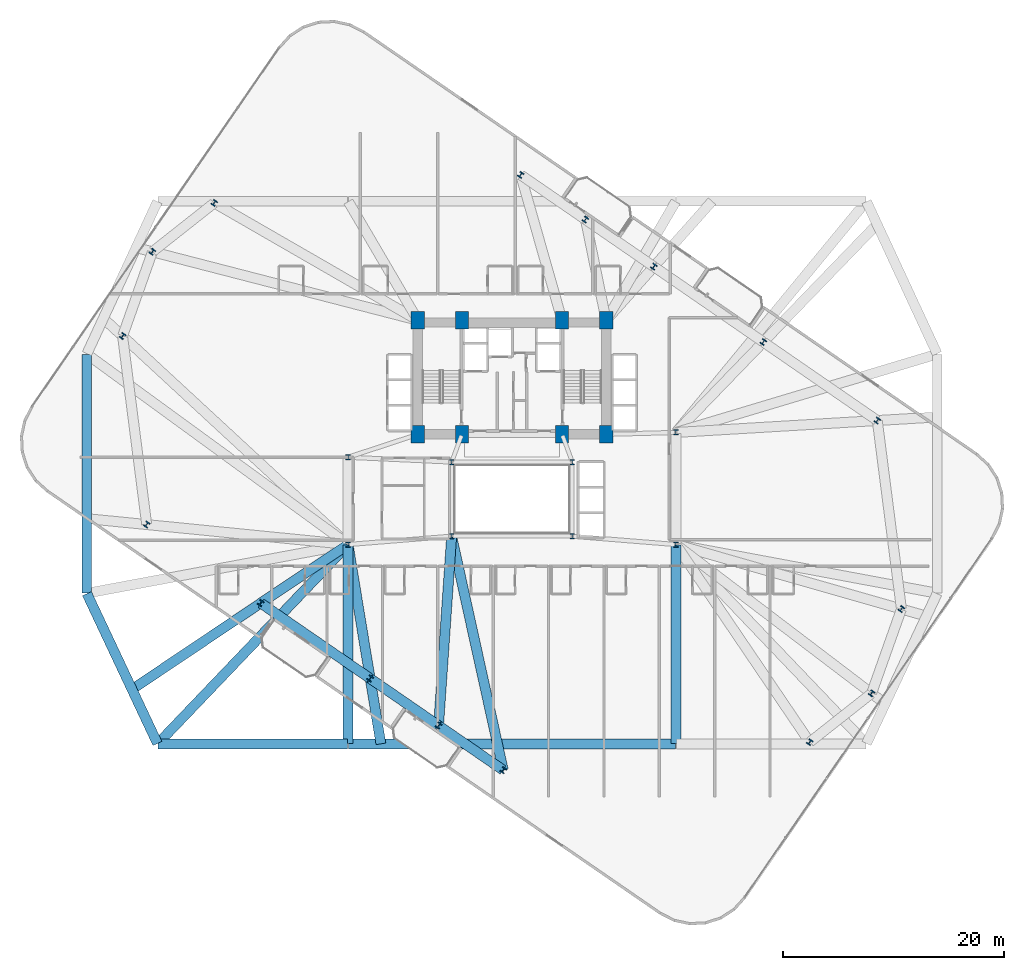
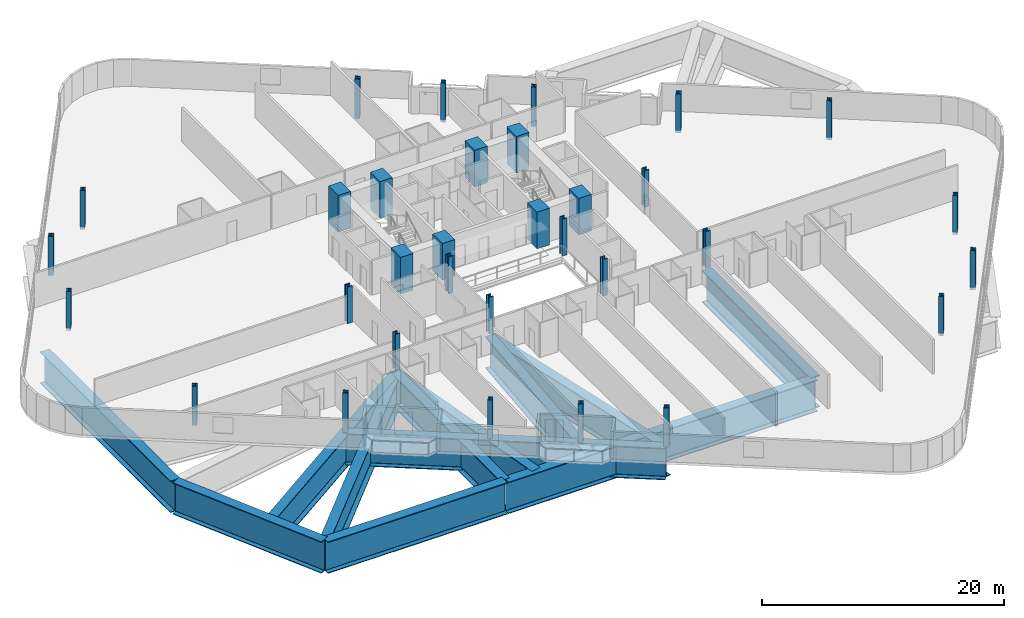
# One storey, part 1 of 26: 32 columns, 14 beams.
"""IFC4 building model written with IfcOpenShell, lengths in metres."""

from ifc_helpers import new_model, si_unit, direction, frame, origin, origin_2d, place, context, subcontext, project, spatial, rectangle, i_section, extrude, material, material_profile, profile_set, type_object, element, save


model = new_model("IFC4")

# Units and contexts
model_context = context("Model", 3, precision=1e-05, world=origin(), true_north=direction((0.0, 1.0)))
body_context = subcontext(model_context, "Body", "Model", "MODEL_VIEW")
ifc_project = project(units=[si_unit("LENGTHUNIT", "METRE"), si_unit("AREAUNIT", "SQUARE_METRE"), si_unit("VOLUMEUNIT", "CUBIC_METRE"), si_unit("PLANEANGLEUNIT", "RADIAN"), si_unit("MASSUNIT", "GRAM", prefix="KILO")], contexts=[model_context])

# Site, building, storey
site_placement = place(None, origin())
site = spatial("IfcSite", under=ifc_project, at=site_placement, CompositionType="ELEMENT")
building_placement = place(site_placement, origin())
building = spatial("IfcBuilding", under=site, at=building_placement, Name="Varnelok Gate Tower", CompositionType="ELEMENT")
storey_placement = place(building_placement, frame((0.0, 0.0, 27.0)))
storey = spatial("IfcBuildingStorey", under=building, at=storey_placement, Name="L05", CompositionType="ELEMENT", Elevation=27.0)

# Columns
ifc_material_1 = material(Name="Concrete C70/85", Category="concrete")
ifc_material_profile_1 = material_profile(ifc_material_1, rectangle(XDim=1.199951171875, YDim=1.60009765625, at=origin_2d()), Name="RC1600X1200")
ifc_profile_set_1 = profile_set([ifc_material_profile_1], Name="Concrete C70/85")
column_type_1 = type_object("IfcColumnType", Name="COL-RC1600X1200", PredefinedType="COLUMN", material=ifc_profile_set_1)
for number, where, z_axis, x_axis, name in (
    (1, (30.699951171875, 28.75, 0.0), (0.0, 0.0, 1.0), (1.0, 0.0, 0.0), "L05 Core Spine Column SC1"),
    (2, (34.679931640625, 28.75, 0.0), (0.0, 0.0, 1.0), (1.0, 0.0, 0.0), "L05 Core Spine Column SC2"),
    (3, (43.719970703125, 28.75, 0.0), (0.0, 0.0, 1.0), (1.0, 0.0, 0.0), "L05 Core Spine Column SC3"),
    (4, (47.699951171875, 28.75, 0.0), (0.0, 0.0, 1.0), (1.0, 0.0, 0.0), "L05 Core Spine Column SC4"),
    (5, (30.699951171875, 39.050048828125, 0.0), (0.0, 0.0, 1.0), (1.0, 0.0, 0.0), "L05 Core Spine Column SC5"),
    (6, (34.679931640625, 39.050048828125, 0.0), (0.0, 0.0, 1.0), (1.0, 0.0, 0.0), "L05 Core Spine Column SC6"),
    (7, (43.719970703125, 39.050048828125, 0.0), (0.0, 0.0, 1.0), (1.0, 0.0, 0.0), "L05 Core Spine Column SC7"),
    (8, (47.699951171875, 39.050048828125, 0.0), (0.0, 0.0, 1.0), (1.0, 0.0, 0.0), "L05 Core Spine Column SC8"),
):
    element("IfcColumn", number, at=place(storey_placement, frame(where, z_axis=z_axis, x_axis=x_axis)), inside=storey, type_object=column_type_1, Name=name, PredefinedType="COLUMN", context=body_context, shape_type="SweptSolid", body=[
        extrude(rectangle(XDim=1.199951171875, YDim=1.60009765625, at=origin_2d()), origin(), (0.0, 0.0, 1.0), 3.699951171875),
    ])
ifc_material_2 = material(Name="Structural Steel ASTM A992 Grade 50", Category="steel")
ifc_material_profile_2 = material_profile(ifc_material_2, i_section(OverallWidth=0.431884765625, OverallDepth=0.498046875, WebThickness=0.0556640625, FlangeThickness=0.0888671875, FilletRadius=0.02490234375, at=origin_2d()), Name="W14X500")
ifc_profile_set_2 = profile_set([ifc_material_profile_2], Name="Structural Steel ASTM A992 Grade 50")
column_type_2 = type_object("IfcColumnType", Name="COL-W14X500", PredefinedType="COLUMN", material=ifc_profile_set_2)
for number, where, z_axis, x_axis, name in (
    (9, (33.75, 19.550048828125, 0.0), (0.0, 0.0, 1.0), (1.0, 0.0, 0.0), "L05 Atrium Spine Column AC1"),
    (10, (44.64990234375, 19.550048828125, 0.0), (0.0, 0.0, 1.0), (1.0, 0.0, 0.0), "L05 Atrium Spine Column AC2"),
    (11, (33.75, 26.25, 0.0), (0.0, 0.0, 1.0), (1.0, 0.0, 0.0), "L05 Atrium Spine Column AC3"),
    (12, (44.64990234375, 26.25, 0.0), (0.0, 0.0, 1.0), (1.0, 0.0, 0.0), "L05 Atrium Spine Column AC4"),
    (13, (24.39990234375, 18.800048828125, 0.0), (0.0, 0.0, 1.0), (1.0, 0.0, 0.0), "L05 Wing Spine Column WS1"),
    (14, (24.39990234375, 26.679931640625, 0.0), (0.0, 0.0, 1.0), (1.0, 0.0, 0.0), "L05 Wing Spine Column WS2"),
    (15, (54.0, 18.800048828125, 0.0), (0.0, 0.0, 1.0), (1.0, 0.0, 0.0), "L05 Wing Spine Column ES1"),
    (16, (54.0, 28.919921875, 0.0), (0.0, 0.0, 1.0), (1.0, 0.0, 0.0), "L05 Wing Spine Column ES2"),
):
    element("IfcColumn", number, at=place(storey_placement, frame(where, z_axis=z_axis, x_axis=x_axis)), inside=storey, type_object=column_type_2, Name=name, PredefinedType="COLUMN", context=body_context, shape_type="SweptSolid", body=[
        extrude(i_section(OverallWidth=0.431884765625, OverallDepth=0.498046875, WebThickness=0.0556640625, FlangeThickness=0.0888671875, FilletRadius=0.02490234375, at=origin_2d()), origin(), (0.0, 0.0, 1.0), 3.699951171875),
    ])
for number, where, z_axis, x_axis, name in (
    (17, (6.214599609375, 20.602783203125, -0.25), (0.0, 0.0, 1.0), (0.823532597628, -0.567268949127, 0.0), "L05 B1 Perimeter Column PC01"),
    (18, (16.5087890625, 13.511962890625, -0.25), (0.0, 0.0, 1.0), (0.823532597628, -0.567268949127, 0.0), "L05 B1 Perimeter Column PC02"),
    (19, (26.39111328125, 6.70458984375, -0.25), (0.0, 0.0, 1.0), (0.823532597628, -0.567268949127, 0.0), "L05 B1 Perimeter Column PC03"),
    (20, (32.567626953125, 2.4501953125, -0.25), (0.0, 0.0, 1.0), (0.823532597628, -0.567268949127, 0.0), "L05 B1 Perimeter Column PC04"),
    (21, (38.41455078125, -1.577392578125, -0.25), (0.0, 0.0, 1.0), (0.823532597628, -0.567268949127, 0.0), "L05 B1 Perimeter Column PC05"),
    (22, (66.084716796875, 0.95263671875, -0.25), (0.0, 0.0, 1.0), (0.823532597628, -0.567268949127, 0.0), "L05 B1 Perimeter Column PC06"),
    (23, (71.669921875, 5.362548828125, -0.25), (0.0, 0.0, 1.0), (0.823532597628, -0.567268949127, 0.0), "L05 B1 Perimeter Column PC07"),
    (24, (74.366943359375, 12.976318359375, -0.25), (0.0, 0.0, 1.0), (0.823532597628, -0.567268949127, 0.0), "L05 B1 Perimeter Column PC08"),
    (25, (72.185546875, 29.997314453125, -0.25), (0.0, 0.0, 1.0), (0.823532597628, -0.567268949127, 0.0), "L05 B1 Perimeter Column PC09"),
    (26, (61.891357421875, 37.088134765625, -0.25), (0.0, 0.0, 1.0), (0.823532597628, -0.567268949127, 0.0), "L05 B1 Perimeter Column PC10"),
    (27, (52.0087890625, 43.8955078125, -0.25), (0.0, 0.0, 1.0), (0.823532597628, -0.567268949127, 0.0), "L05 B1 Perimeter Column PC11"),
    (28, (45.83251953125, 48.14990234375, -0.25), (0.0, 0.0, 1.0), (0.823532597628, -0.567268949127, 0.0), "L05 B1 Perimeter Column PC12"),
    (29, (39.9853515625, 52.177490234375, -0.25), (0.0, 0.0, 1.0), (0.823532597628, -0.567268949127, 0.0), "L05 B1 Perimeter Column PC13"),
    (30, (12.315185546875, 49.6474609375, -0.25), (0.0, 0.0, 1.0), (0.823532597628, -0.567268949127, 0.0), "L05 B1 Perimeter Column PC14"),
    (31, (6.72998046875, 45.237548828125, -0.25), (0.0, 0.0, 1.0), (0.823532597628, -0.567268949127, 0.0), "L05 B1 Perimeter Column PC15"),
    (32, (4.033203125, 37.623779296875, -0.25), (0.0, 0.0, 1.0), (0.823532597628, -0.567268949127, 0.0), "L05 B1 Perimeter Column PC16"),
):
    element("IfcColumn", number, at=place(storey_placement, frame(where, z_axis=z_axis, x_axis=x_axis)), inside=storey, type_object=column_type_2, Name=name, PredefinedType="COLUMN", context=body_context, shape_type="SweptSolid", body=[
        extrude(i_section(OverallWidth=0.431884765625, OverallDepth=0.498046875, WebThickness=0.0556640625, FlangeThickness=0.0888671875, FilletRadius=0.02490234375, at=origin_2d()), origin(), (0.0, 0.0, 1.0), 3.949951171875),
    ])

# Beams
ifc_material_3 = material(Name="Structural Steel ASTM A572 Grade 50", Category="steel")
ifc_material_profile_3 = material_profile(ifc_material_3, i_section(OverallWidth=0.89990234375, OverallDepth=3.199951171875, WebThickness=0.0400390625, FlangeThickness=0.074951171875, FilletRadius=0.030029296875, at=origin_2d()), Name="PG3200X900")
ifc_profile_set_3 = profile_set([ifc_material_profile_3], Name="Structural Steel ASTM A572 Grade 50")
beam_type = type_object("IfcBeamType", Name="BM-TR-PG3200", PredefinedType="BEAM", material=ifc_profile_set_3)
beam_1_placement = place(storey_placement, frame((7.239990234375, 0.800048828125, -1.85009765625), z_axis=(1.0, 0.0, 0.0), x_axis=(0.0, 1.0, 0.0)))
element("IfcBeam", 33, at=beam_1_placement, inside=storey, type_object=beam_type, Name="L05 Transfer Support Ring Girder 1", PredefinedType="BEAM", context=body_context, shape_type="SweptSolid", body=[
    extrude(i_section(OverallWidth=0.89990234375, OverallDepth=3.199951171875, WebThickness=0.0400390625, FlangeThickness=0.074951171875, FilletRadius=0.030029296875, at=origin_2d()), origin(), (0.0, 0.0, 1.0), 17.1201171875),
])
beam_2_placement = place(storey_placement, frame((24.43994140625, 0.800048828125, -1.85009765625), z_axis=(1.0, 0.0, 0.0), x_axis=(0.0, 1.0, 0.0)))
element("IfcBeam", 34, at=beam_2_placement, inside=storey, type_object=beam_type, Name="L05 Transfer Support Ring Girder 2", PredefinedType="BEAM", context=body_context, shape_type="SweptSolid", body=[
    extrude(i_section(OverallWidth=0.89990234375, OverallDepth=3.199951171875, WebThickness=0.0400390625, FlangeThickness=0.074951171875, FilletRadius=0.030029296875, at=origin_2d()), origin(), (0.0, 0.0, 1.0), 29.52001953125),
])
beam_3_placement = place(storey_placement, frame((0.800048828125, 35.9599609375, -1.85009765625), z_axis=(0.0, -1.0, 0.0), x_axis=(1.0, 0.0, 0.0)))
element("IfcBeam", 35, at=beam_3_placement, inside=storey, type_object=beam_type, Name="L05 Transfer Support Ring Girder 11", PredefinedType="BEAM", context=body_context, shape_type="SweptSolid", body=[
    extrude(i_section(OverallWidth=0.89990234375, OverallDepth=3.199951171875, WebThickness=0.0400390625, FlangeThickness=0.074951171875, FilletRadius=0.030029296875, at=origin_2d()), origin(), (0.0, 0.0, 1.0), 21.52001953125),
])
beam_4_placement = place(storey_placement, frame((0.81689453125, 14.36376953125, -1.85009765625), z_axis=(0.42581276457, -0.904811300509, 0.0), x_axis=(0.904811300509, 0.42581276457, 0.0)))
element("IfcBeam", 36, at=beam_4_placement, inside=storey, type_object=beam_type, Name="L05 Transfer Support Ring Girder 12", PredefinedType="BEAM", context=body_context, shape_type="SweptSolid", body=[
    extrude(i_section(OverallWidth=0.89990234375, OverallDepth=3.199951171875, WebThickness=0.0400390625, FlangeThickness=0.074951171875, FilletRadius=0.030029296875, at=origin_2d()), origin(), (0.0, 0.0, 1.0), 14.95068359375),
])
beam_5_placement = place(storey_placement, frame((24.372314453125, 18.77099609375, -1.85009765625), z_axis=(-0.690859142843, -0.7229893808, 0.0), x_axis=(0.7229893808, -0.690859142843, 0.0)))
element("IfcBeam", 37, at=beam_5_placement, inside=storey, type_object=beam_type, Name="L05 Radial Transfer Main Girder 1", PredefinedType="BEAM", context=body_context, shape_type="SweptSolid", body=[
    extrude(i_section(OverallWidth=0.89990234375, OverallDepth=3.199951171875, WebThickness=0.0400390625, FlangeThickness=0.074951171875, FilletRadius=0.030029296875, at=origin_2d()), origin(), (0.0, 0.0, 1.0), 24.816650390625),
])
for number, where, z_axis, x_axis, name in (
    (38, (24.39990234375, 18.760009765625, -1.85009765625), (0.0, -1.0, 0.0), (1.0, 0.0, 0.0), "L05 Radial Transfer Main Girder 2"),
    (39, (54.0, 18.760009765625, -1.85009765625), (0.0, -1.0, 0.0), (1.0, 0.0, 0.0), "L05 Radial Transfer Main Girder 3"),
):
    element("IfcBeam", number, at=place(storey_placement, frame(where, z_axis=z_axis, x_axis=x_axis)), inside=storey, type_object=beam_type, Name=name, PredefinedType="BEAM", context=body_context, shape_type="SweptSolid", body=[
        extrude(i_section(OverallWidth=0.89990234375, OverallDepth=3.199951171875, WebThickness=0.0400390625, FlangeThickness=0.074951171875, FilletRadius=0.030029296875, at=origin_2d()), origin(), (0.0, 0.0, 1.0), 17.919921875),
    ])
beam_6_placement = place(storey_placement, frame((24.31689453125, 18.744384765625, -1.85009765625), z_axis=(-0.830724899977, -0.556683159938, 0.0), x_axis=(0.556683159938, -0.830724899977, 0.0)))
element("IfcBeam", 40, at=beam_6_placement, inside=storey, type_object=beam_type, Name="L05 Column Transfer Carrier Girder 2", PredefinedType="BEAM", context=body_context, shape_type="SweptSolid", body=[
    extrude(i_section(OverallWidth=0.89990234375, OverallDepth=3.199951171875, WebThickness=0.0400390625, FlangeThickness=0.074951171875, FilletRadius=0.030029296875, at=origin_2d()), origin(), (0.0, 0.0, 1.0), 23.39306640625),
])
beam_7_placement = place(storey_placement, frame((24.416259765625, 18.701416015625, -1.85009765625), z_axis=(0.162425935728, -0.986720738306, 0.0), x_axis=(0.986720738306, 0.162425935728, 0.0)))
element("IfcBeam", 41, at=beam_7_placement, inside=storey, type_object=beam_type, Name="L05 Column Transfer Carrier Girder 3", PredefinedType="BEAM", context=body_context, shape_type="SweptSolid", body=[
    extrude(i_section(OverallWidth=0.89990234375, OverallDepth=3.199951171875, WebThickness=0.0400390625, FlangeThickness=0.074951171875, FilletRadius=0.030029296875, at=origin_2d()), origin(), (0.0, 0.0, 1.0), 18.142333984375),
])
beam_8_placement = place(storey_placement, frame((33.7431640625, 19.4501953125, -1.85009765625), z_axis=(-0.068979574273, -0.997618072377, 0.0), x_axis=(0.997618072377, -0.068979574273, 0.0)))
element("IfcBeam", 42, at=beam_8_placement, inside=storey, type_object=beam_type, Name="L05 Column Transfer Carrier Girder 4", PredefinedType="BEAM", context=body_context, shape_type="SweptSolid", body=[
    extrude(i_section(OverallWidth=0.89990234375, OverallDepth=3.199951171875, WebThickness=0.0400390625, FlangeThickness=0.074951171875, FilletRadius=0.030029296875, at=origin_2d()), origin(), (0.0, 0.0, 1.0), 18.694580078125),
])
beam_9_placement = place(storey_placement, frame((33.771484375, 19.452392578125, -1.85009765625), z_axis=(0.215593108384, -0.976483287936, 0.0), x_axis=(0.976483287936, 0.215593108384, 0.0)))
element("IfcBeam", 43, at=beam_9_placement, inside=storey, type_object=beam_type, Name="L05 Column Transfer Carrier Girder 5", PredefinedType="BEAM", context=body_context, shape_type="SweptSolid", body=[
    extrude(i_section(OverallWidth=0.89990234375, OverallDepth=3.199951171875, WebThickness=0.0400390625, FlangeThickness=0.074951171875, FilletRadius=0.030029296875, at=origin_2d()), origin(), (0.0, 0.0, 1.0), 21.5361328125),
])
beam_10_placement = place(storey_placement, frame((16.54150390625, 13.4892578125, -1.85009765625), z_axis=(0.823531840328, -0.567270048536, 0.0), x_axis=(0.567270048536, 0.823531840328, 0.0)))
element("IfcBeam", 44, at=beam_10_placement, inside=storey, type_object=beam_type, Name="L05 Upper Perimeter Transfer Ring 2", PredefinedType="BEAM", context=body_context, shape_type="SweptSolid", body=[
    extrude(i_section(OverallWidth=0.89990234375, OverallDepth=3.199951171875, WebThickness=0.0400390625, FlangeThickness=0.074951171875, FilletRadius=0.030029296875, at=origin_2d()), origin(), (0.0, 0.0, 1.0), 11.920166015625),
])
beam_11_placement = place(storey_placement, frame((26.424072265625, 6.681884765625, -1.85009765625), z_axis=(0.823541417634, -0.567256144473, 0.0), x_axis=(0.567256144473, 0.823541417634, 0.0)))
element("IfcBeam", 45, at=beam_11_placement, inside=storey, type_object=beam_type, Name="L05 Upper Perimeter Transfer Ring 3", PredefinedType="BEAM", context=body_context, shape_type="SweptSolid", body=[
    extrude(i_section(OverallWidth=0.89990234375, OverallDepth=3.199951171875, WebThickness=0.0400390625, FlangeThickness=0.074951171875, FilletRadius=0.030029296875, at=origin_2d()), origin(), (0.0, 0.0, 1.0), 7.419921875),
])
beam_12_placement = place(storey_placement, frame((32.6005859375, 2.427490234375, -1.85009765625), z_axis=(0.82352709808, -0.567276933012, 0.0), x_axis=(0.567276933012, 0.82352709808, 0.0)))
element("IfcBeam", 46, at=beam_12_placement, inside=storey, type_object=beam_type, Name="L05 Upper Perimeter Transfer Ring 4", PredefinedType="BEAM", context=body_context, shape_type="SweptSolid", body=[
    extrude(i_section(OverallWidth=0.89990234375, OverallDepth=3.199951171875, WebThickness=0.0400390625, FlangeThickness=0.074951171875, FilletRadius=0.030029296875, at=origin_2d()), origin(), (0.0, 0.0, 1.0), 7.019775390625),
])

save(model, "model.ifc")
